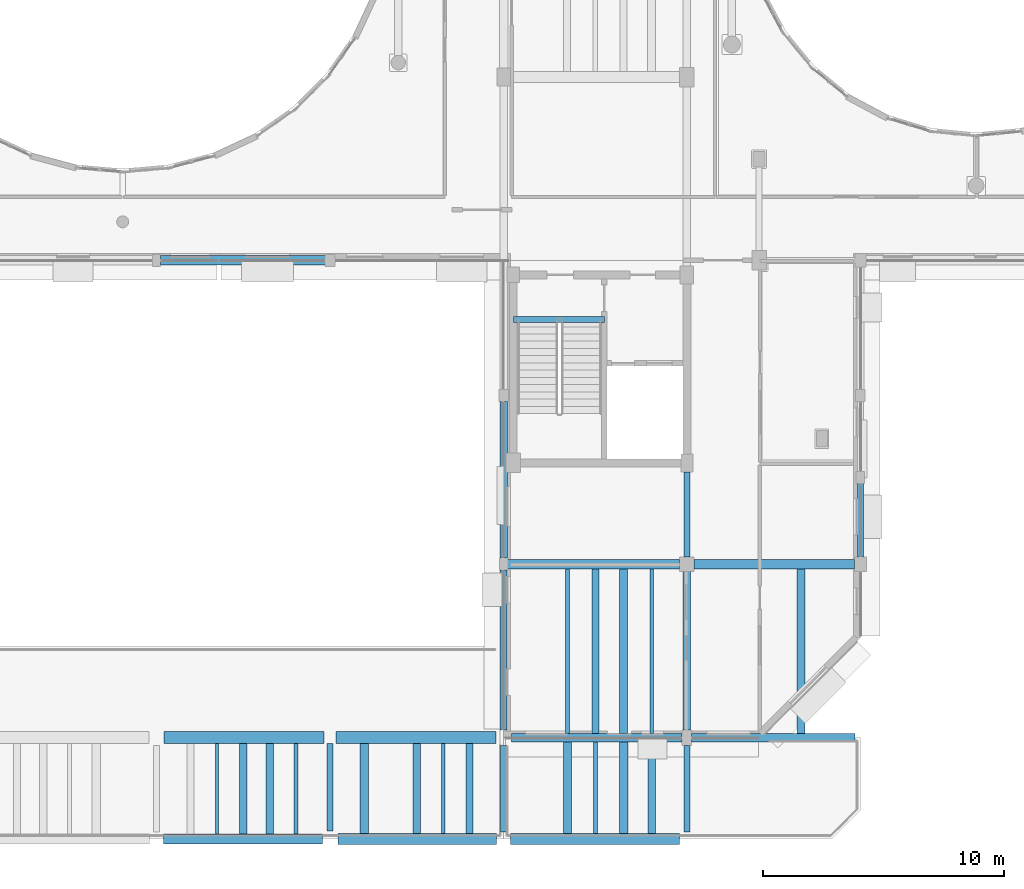
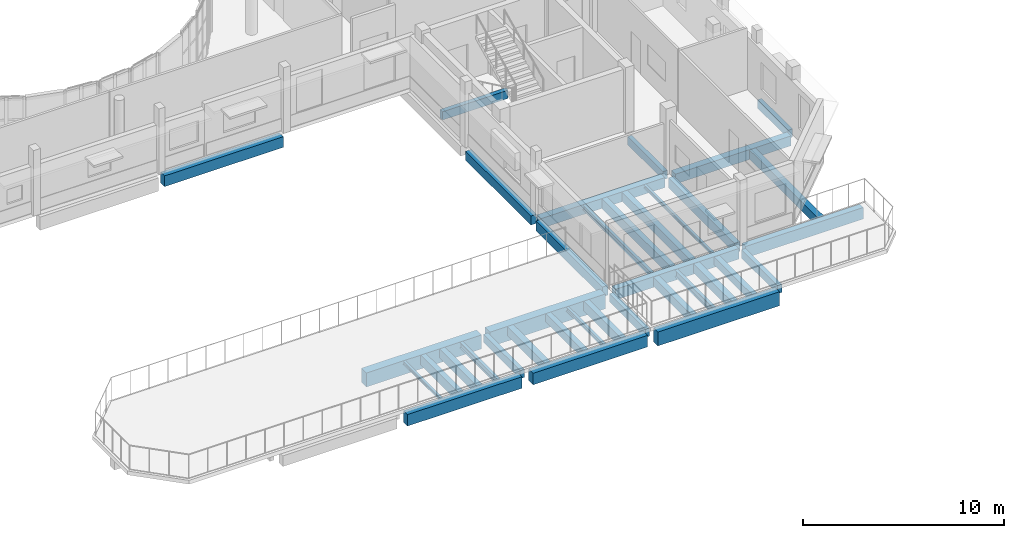
# One storey, part 24 of 92: 36 beams.
"""IFC4 building model written with IfcOpenShell, lengths in metres."""

from ifc_helpers import new_model, si_unit, direction, frame, origin, origin_2d, place, context, subcontext, project, spatial, rectangle, i_section, extrude, material, material_profile, profile_set, type_object, element, save


model = new_model("IFC4")

# Units and contexts
model_context = context("Model", 3, precision=1e-05, world=origin(), true_north=direction((0.0, 1.0)))
body_context = subcontext(model_context, "Body", "Model", "MODEL_VIEW")
ifc_project = project(units=[si_unit("LENGTHUNIT", "METRE"), si_unit("AREAUNIT", "SQUARE_METRE"), si_unit("VOLUMEUNIT", "CUBIC_METRE"), si_unit("PLANEANGLEUNIT", "RADIAN"), si_unit("MASSUNIT", "GRAM", prefix="KILO")], contexts=[model_context])

# Site, building, storey
site_placement = place(None, origin())
site = spatial("IfcSite", under=ifc_project, at=site_placement, CompositionType="ELEMENT")
building_placement = place(site_placement, origin())
building = spatial("IfcBuilding", under=site, at=building_placement, Name="Kelanivale Promenade Academy", CompositionType="ELEMENT")
storey_placement = place(building_placement, frame((0.0, 0.0, 8.199951171875)))
storey = spatial("IfcBuildingStorey", under=building, at=storey_placement, Name="L02", CompositionType="ELEMENT", Elevation=8.199951171875)

# Beams
ifc_material_1 = material(Name="Concrete C35/45", Category="concrete")
ifc_material_profile_1 = material_profile(ifc_material_1, rectangle(XDim=0.39990234375, YDim=0.64990234375, at=origin_2d()), Name="RC-BM 400x650")
ifc_profile_set_1 = profile_set([ifc_material_profile_1], Name="Concrete C35/45")
beam_type_1 = type_object("IfcBeamType", Name="BM-01 RC-BM 400x650", PredefinedType="BEAM", material=ifc_profile_set_1)
beam_1_placement = place(storey_placement, frame((64.969970703125, 42.0, -0.544921875), z_axis=(1.0, 0.0, 0.0), x_axis=(0.0, 1.0, 0.0)))
element("IfcBeam", 1, at=beam_1_placement, inside=storey, type_object=beam_type_1, Name="L02 girder BM-01", PredefinedType="BEAM", context=body_context, shape_type="SweptSolid", body=[
    extrude(rectangle(XDim=0.39990234375, YDim=0.64990234375, at=origin_2d()), origin(), (0.0, 0.0, 1.0), 6.8349609375),
])
ifc_material_profile_2 = material_profile(ifc_material_1, rectangle(XDim=0.39990234375, YDim=0.699951171875, at=origin_2d()), Name="RC-BM 400x700")
ifc_profile_set_2 = profile_set([ifc_material_profile_2], Name="Concrete C35/45")
beam_type_2 = type_object("IfcBeamType", Name="BM-02 RC-BM 400x700", PredefinedType="BEAM", material=ifc_profile_set_2)
beam_2_placement = place(storey_placement, frame((65.094970703125, 18.0, -0.5849609375), z_axis=(1.0, 0.0, 0.0), x_axis=(0.0, 1.0, 0.0)))
element("IfcBeam", 2, at=beam_2_placement, inside=storey, type_object=beam_type_2, Name="L02 girder BM-02", PredefinedType="BEAM", context=body_context, shape_type="SweptSolid", body=[
    extrude(rectangle(XDim=0.39990234375, YDim=0.699951171875, at=origin_2d()), origin(), (0.0, 0.0, 1.0), 6.5849609375),
])
ifc_material_profile_3 = material_profile(ifc_material_1, rectangle(XDim=0.449951171875, YDim=0.699951171875, at=origin_2d()), Name="RC-BM 450x700")
ifc_profile_set_3 = profile_set([ifc_material_profile_3], Name="Concrete C35/45")
beam_type_3 = type_object("IfcBeamType", Name="BM-03 RC-BM 450x700", PredefinedType="BEAM", material=ifc_profile_set_3)
beam_3_placement = place(storey_placement, frame((72.320068359375, 18.0, -0.5849609375), z_axis=(1.0, 0.0, 0.0), x_axis=(0.0, 1.0, 0.0)))
element("IfcBeam", 3, at=beam_3_placement, inside=storey, type_object=beam_type_3, Name="L02 girder BM-03", PredefinedType="BEAM", context=body_context, shape_type="SweptSolid", body=[
    extrude(rectangle(XDim=0.449951171875, YDim=0.699951171875, at=origin_2d()), origin(), (0.0, 0.0, 1.0), 6.5849609375),
])
ifc_material_profile_4 = material_profile(ifc_material_1, rectangle(XDim=0.449951171875, YDim=0.85009765625, at=origin_2d()), Name="RC-BM 450x850")
ifc_profile_set_4 = profile_set([ifc_material_profile_4], Name="Concrete C35/45")
beam_type_4 = type_object("IfcBeamType", Name="BM-05 RC-BM 450x850", PredefinedType="BEAM", material=ifc_profile_set_4)
beam_4_placement = place(storey_placement, frame((79.4951171875, 18.0, -0.659912109375), z_axis=(1.0, 0.0, 0.0), x_axis=(0.0, 1.0, 0.0)))
element("IfcBeam", 4, at=beam_4_placement, inside=storey, type_object=beam_type_4, Name="L02 girder BM-05", PredefinedType="BEAM", context=body_context, shape_type="SweptSolid", body=[
    extrude(rectangle(XDim=0.449951171875, YDim=0.85009765625, at=origin_2d()), origin(), (0.0, 0.0, 1.0), 7.009765625),
])
ifc_material_profile_5 = material_profile(ifc_material_1, rectangle(XDim=0.5, YDim=0.85009765625, at=origin_2d()), Name="RC-BM 500x850")
ifc_profile_set_5 = profile_set([ifc_material_profile_5], Name="Concrete C35/45")
beam_type_5 = type_object("IfcBeamType", Name="BM-07 RC-BM 500x850", PredefinedType="BEAM", material=ifc_profile_set_5)
beam_5_placement = place(storey_placement, frame((65.1201171875, 22.199951171875, -0.659912109375), z_axis=(1.0, 0.0, 0.0), x_axis=(0.0, 1.0, 0.0)))
element("IfcBeam", 5, at=beam_5_placement, inside=storey, type_object=beam_type_5, Name="L02 girder BM-07", PredefinedType="BEAM", context=body_context, shape_type="SweptSolid", body=[
    extrude(rectangle(XDim=0.5, YDim=0.85009765625, at=origin_2d()), origin(), (0.0, 0.0, 1.0), 6.634765625),
])
ifc_material_profile_6 = material_profile(ifc_material_1, rectangle(XDim=0.5, YDim=0.89990234375, at=origin_2d()), Name="RC-BM 500x900")
ifc_profile_set_6 = profile_set([ifc_material_profile_6], Name="Concrete C35/45")
beam_type_6 = type_object("IfcBeamType", Name="BM-08 RC-BM 500x900", PredefinedType="BEAM", material=ifc_profile_set_6)
beam_6_placement = place(storey_placement, frame((72.2451171875, 22.199951171875, -0.68505859375), z_axis=(1.0, 0.0, 0.0), x_axis=(0.0, 1.0, 0.0)))
element("IfcBeam", 6, at=beam_6_placement, inside=storey, type_object=beam_type_6, Name="L02 girder BM-08", PredefinedType="BEAM", context=body_context, shape_type="SweptSolid", body=[
    extrude(rectangle(XDim=0.5, YDim=0.89990234375, at=origin_2d()), origin(), (0.0, 0.0, 1.0), 6.634765625),
])
ifc_material_profile_7 = material_profile(ifc_material_1, rectangle(XDim=0.35009765625, YDim=0.64990234375, at=origin_2d()), Name="RC-BM 350x650")
ifc_profile_set_7 = profile_set([ifc_material_profile_7], Name="Concrete C35/45")
beam_type_7 = type_object("IfcBeamType", Name="BM-10 RC-BM 350x650", PredefinedType="BEAM", material=ifc_profile_set_7)
beam_7_placement = place(storey_placement, frame((79.52001953125, 22.199951171875, -0.544921875), z_axis=(1.0, 0.0, 0.0), x_axis=(0.0, 1.0, 0.0)))
element("IfcBeam", 7, at=beam_7_placement, inside=storey, type_object=beam_type_7, Name="L02 girder BM-10", PredefinedType="BEAM", context=body_context, shape_type="SweptSolid", body=[
    extrude(rectangle(XDim=0.35009765625, YDim=0.64990234375, at=origin_2d()), origin(), (0.0, 0.0, 1.0), 7.0849609375),
])
ifc_material_profile_8 = material_profile(ifc_material_1, rectangle(XDim=0.35009765625, YDim=0.699951171875, at=origin_2d()), Name="RC-BM 350x700")
ifc_profile_set_8 = profile_set([ifc_material_profile_8], Name="Concrete C35/45")
beam_type_8 = type_object("IfcBeamType", Name="BM-11 RC-BM 350x700", PredefinedType="BEAM", material=ifc_profile_set_8)
beam_8_placement = place(storey_placement, frame((86.9951171875, 22.199951171875, -0.5849609375), z_axis=(1.0, 0.0, 0.0), x_axis=(0.0, 1.0, 0.0)))
element("IfcBeam", 8, at=beam_8_placement, inside=storey, type_object=beam_type_8, Name="L02 girder BM-11", PredefinedType="BEAM", context=body_context, shape_type="SweptSolid", body=[
    extrude(rectangle(XDim=0.35009765625, YDim=0.699951171875, at=origin_2d()), origin(), (0.0, 0.0, 1.0), 6.784912109375),
])
ifc_material_profile_9 = material_profile(ifc_material_1, rectangle(XDim=0.39990234375, YDim=0.60009765625, at=origin_2d()), Name="RC-BM 400x600")
ifc_profile_set_9 = profile_set([ifc_material_profile_9], Name="Concrete C35/45")
beam_type_9 = type_object("IfcBeamType", Name="BM-12 RC-BM 400x600", PredefinedType="BEAM", material=ifc_profile_set_9)
beam_9_placement = place(storey_placement, frame((79.3701171875, 29.39990234375, -0.52001953125), z_axis=(1.0, 0.0, 0.0), x_axis=(0.0, 1.0, 0.0)))
element("IfcBeam", 9, at=beam_9_placement, inside=storey, type_object=beam_type_9, Name="L02 girder BM-12", PredefinedType="BEAM", context=body_context, shape_type="SweptSolid", body=[
    extrude(rectangle(XDim=0.39990234375, YDim=0.60009765625, at=origin_2d()), origin(), (0.0, 0.0, 1.0), 7.134765625),
])
beam_10_placement = place(storey_placement, frame((87.094970703125, 29.39990234375, -0.52001953125), z_axis=(1.0, 0.0, 0.0), x_axis=(0.0, 1.0, 0.0)))
element("IfcBeam", 10, at=beam_10_placement, inside=storey, type_object=beam_type_9, Name="L02 girder BM-12", PredefinedType="BEAM", context=body_context, shape_type="SweptSolid", body=[
    extrude(rectangle(XDim=0.39990234375, YDim=0.60009765625, at=origin_2d()), origin(), (0.0, 0.0, 1.0), 6.659912109375),
])
ifc_material_profile_10 = material_profile(ifc_material_1, rectangle(XDim=0.300048828125, YDim=0.5, at=origin_2d()), Name="RC-BM 300x500")
ifc_profile_set_10 = profile_set([ifc_material_profile_10], Name="Concrete C35/45")
beam_type_10 = type_object("IfcBeamType", Name="JS-01 RC-BM 300x500", PredefinedType="JOIST", material=ifc_profile_set_10)
beam_11_placement = place(storey_placement, frame((75.60009765625, 18.22509765625, -0.48486328125), z_axis=(0.0, 1.0, 0.0), x_axis=(-1.0, 0.0, 0.0)))
element("IfcBeam", 11, at=beam_11_placement, inside=storey, type_object=beam_type_10, Name="L02 secondary sub-beam JS-01", PredefinedType="JOIST", context=body_context, shape_type="SweptSolid", body=[
    extrude(rectangle(XDim=0.300048828125, YDim=0.5, at=origin_2d()), origin(), (0.0, 0.0, 1.0), 3.724853515625),
])
beam_12_placement = place(storey_placement, frame((85.341064453125, 18.22509765625, -0.48486328125), z_axis=(0.0, 1.0, 0.0), x_axis=(-1.0, 0.0, 0.0)))
element("IfcBeam", 12, at=beam_12_placement, inside=storey, type_object=beam_type_10, Name="L02 secondary sub-beam JS-01", PredefinedType="JOIST", context=body_context, shape_type="SweptSolid", body=[
    extrude(rectangle(XDim=0.300048828125, YDim=0.5, at=origin_2d()), origin(), (0.0, 0.0, 1.0), 3.7998046875),
])
ifc_material_profile_11 = material_profile(ifc_material_1, rectangle(XDim=0.300048828125, YDim=0.60009765625, at=origin_2d()), Name="RC-BM 300x600")
ifc_profile_set_11 = profile_set([ifc_material_profile_11], Name="Concrete C35/45")
beam_type_11 = type_object("IfcBeamType", Name="JS-03 RC-BM 300x600", PredefinedType="JOIST", material=ifc_profile_set_11)
beam_13_placement = place(storey_placement, frame((79.199951171875, 22.52001953125, -0.52001953125), z_axis=(0.0, 1.0, 0.0), x_axis=(-1.0, 0.0, 0.0)))
element("IfcBeam", 13, at=beam_13_placement, inside=storey, type_object=beam_type_11, Name="L02 beam JS-03", PredefinedType="JOIST", context=body_context, shape_type="SweptSolid", body=[
    extrude(rectangle(XDim=0.300048828125, YDim=0.60009765625, at=origin_2d()), origin(), (0.0, 0.0, 1.0), 6.635009765625),
])
beam_14_placement = place(storey_placement, frame((68.39990234375, 18.199951171875, -0.534912109375), z_axis=(0.0, 1.0, 0.0), x_axis=(-1.0, 0.0, 0.0)))
element("IfcBeam", 14, at=beam_14_placement, inside=storey, type_object=beam_type_11, Name="L02 secondary sub-beam JS-03", PredefinedType="JOIST", context=body_context, shape_type="SweptSolid", body=[
    extrude(rectangle(XDim=0.300048828125, YDim=0.60009765625, at=origin_2d()), origin(), (0.0, 0.0, 1.0), 3.75),
])
beam_15_placement = place(storey_placement, frame((77.787109375, 18.22509765625, -0.534912109375), z_axis=(0.0, 1.0, 0.0), x_axis=(-1.0, 0.0, 0.0)))
element("IfcBeam", 15, at=beam_15_placement, inside=storey, type_object=beam_type_11, Name="L02 secondary sub-beam JS-03", PredefinedType="JOIST", context=body_context, shape_type="SweptSolid", body=[
    extrude(rectangle(XDim=0.300048828125, YDim=0.60009765625, at=origin_2d()), origin(), (0.0, 0.0, 1.0), 3.724853515625),
])
beam_16_placement = place(storey_placement, frame((83.011962890625, 22.375, -0.52001953125), z_axis=(0.0, 1.0, 0.0), x_axis=(-1.0, 0.0, 0.0)))
element("IfcBeam", 16, at=beam_16_placement, inside=storey, type_object=beam_type_11, Name="L02 secondary sub-beam JS-03", PredefinedType="JOIST", context=body_context, shape_type="SweptSolid", body=[
    extrude(rectangle(XDim=0.300048828125, YDim=0.60009765625, at=origin_2d()), origin(), (0.0, 0.0, 1.0), 6.824951171875),
])
ifc_material_profile_12 = material_profile(ifc_material_1, rectangle(XDim=0.320068359375, YDim=0.550048828125, at=origin_2d()), Name="RC-BM 320x550")
ifc_profile_set_12 = profile_set([ifc_material_profile_12], Name="Concrete C35/45")
beam_type_12 = type_object("IfcBeamType", Name="JS-04 RC-BM 320x550", PredefinedType="JOIST", material=ifc_profile_set_12)
beam_17_placement = place(storey_placement, frame((79.199951171875, 29.64501953125, -0.494873046875), z_axis=(0.0, 1.0, 0.0), x_axis=(-1.0, 0.0, 0.0)))
element("IfcBeam", 17, at=beam_17_placement, inside=storey, type_object=beam_type_12, Name="L02 beam JS-04", PredefinedType="JOIST", context=body_context, shape_type="SweptSolid", body=[
    extrude(rectangle(XDim=0.320068359375, YDim=0.550048828125, at=origin_2d()), origin(), (0.0, 0.0, 1.0), 6.510009765625),
])
beam_18_placement = place(storey_placement, frame((69.492919921875, 18.199951171875, -0.510009765625), z_axis=(0.0, 1.0, 0.0), x_axis=(-1.0, 0.0, 0.0)))
element("IfcBeam", 18, at=beam_18_placement, inside=storey, type_object=beam_type_12, Name="L02 secondary sub-beam JS-04", PredefinedType="JOIST", context=body_context, shape_type="SweptSolid", body=[
    extrude(rectangle(XDim=0.320068359375, YDim=0.550048828125, at=origin_2d()), origin(), (0.0, 0.0, 1.0), 3.75),
])
beam_19_placement = place(storey_placement, frame((81.847900390625, 18.22509765625, -0.510009765625), z_axis=(0.0, 1.0, 0.0), x_axis=(-1.0, 0.0, 0.0)))
element("IfcBeam", 19, at=beam_19_placement, inside=storey, type_object=beam_type_12, Name="L02 secondary sub-beam JS-04", PredefinedType="JOIST", context=body_context, shape_type="SweptSolid", body=[
    extrude(rectangle(XDim=0.320068359375, YDim=0.550048828125, at=origin_2d()), origin(), (0.0, 0.0, 1.0), 3.7998046875),
])
beam_20_placement = place(storey_placement, frame((84.177001953125, 22.375, -0.494873046875), z_axis=(0.0, 1.0, 0.0), x_axis=(-1.0, 0.0, 0.0)))
element("IfcBeam", 20, at=beam_20_placement, inside=storey, type_object=beam_type_12, Name="L02 secondary sub-beam JS-04", PredefinedType="JOIST", context=body_context, shape_type="SweptSolid", body=[
    extrude(rectangle(XDim=0.320068359375, YDim=0.550048828125, at=origin_2d()), origin(), (0.0, 0.0, 1.0), 6.824951171875),
])
ifc_material_profile_13 = material_profile(ifc_material_1, rectangle(XDim=0.320068359375, YDim=0.60009765625, at=origin_2d()), Name="RC-BM 320x600")
ifc_profile_set_13 = profile_set([ifc_material_profile_13], Name="Concrete C35/45")
beam_type_13 = type_object("IfcBeamType", Name="JS-05 RC-BM 320x600", PredefinedType="JOIST", material=ifc_profile_set_13)
beam_21_placement = place(storey_placement, frame((86.800048828125, 22.52001953125, -0.52001953125), z_axis=(0.0, 1.0, 0.0), x_axis=(-1.0, 0.0, 0.0)))
element("IfcBeam", 21, at=beam_21_placement, inside=storey, type_object=beam_type_13, Name="L02 beam JS-05", PredefinedType="JOIST", context=body_context, shape_type="SweptSolid", body=[
    extrude(rectangle(XDim=0.320068359375, YDim=0.60009765625, at=origin_2d()), origin(), (0.0, 0.0, 1.0), 6.5849609375),
])
ifc_material_profile_14 = material_profile(ifc_material_1, rectangle(XDim=0.35009765625, YDim=0.550048828125, at=origin_2d()), Name="RC-BM 350x550")
ifc_profile_set_14 = profile_set([ifc_material_profile_14], Name="Concrete C35/45")
beam_type_14 = type_object("IfcBeamType", Name="JS-06 RC-BM 350x550", PredefinedType="JOIST", material=ifc_profile_set_14)
beam_22_placement = place(storey_placement, frame((73.4130859375, 18.22509765625, -0.510009765625), z_axis=(0.0, 1.0, 0.0), x_axis=(-1.0, 0.0, 0.0)))
element("IfcBeam", 22, at=beam_22_placement, inside=storey, type_object=beam_type_14, Name="L02 secondary sub-beam JS-06", PredefinedType="JOIST", context=body_context, shape_type="SweptSolid", body=[
    extrude(rectangle(XDim=0.35009765625, YDim=0.550048828125, at=origin_2d()), origin(), (0.0, 0.0, 1.0), 3.724853515625),
])
beam_23_placement = place(storey_placement, frame((84.177001953125, 18.22509765625, -0.510009765625), z_axis=(0.0, 1.0, 0.0), x_axis=(-1.0, 0.0, 0.0)))
element("IfcBeam", 23, at=beam_23_placement, inside=storey, type_object=beam_type_14, Name="L02 secondary sub-beam JS-06", PredefinedType="JOIST", context=body_context, shape_type="SweptSolid", body=[
    extrude(rectangle(XDim=0.35009765625, YDim=0.550048828125, at=origin_2d()), origin(), (0.0, 0.0, 1.0), 3.7998046875),
])
beam_24_placement = place(storey_placement, frame((91.534912109375, 22.375, -0.510009765625), z_axis=(0.0, 1.0, 0.0), x_axis=(-1.0, 0.0, 0.0)))
element("IfcBeam", 24, at=beam_24_placement, inside=storey, type_object=beam_type_14, Name="L02 secondary sub-beam JS-06", PredefinedType="JOIST", context=body_context, shape_type="SweptSolid", body=[
    extrude(rectangle(XDim=0.35009765625, YDim=0.550048828125, at=origin_2d()), origin(), (0.0, 0.0, 1.0), 6.824951171875),
])
ifc_material_profile_15 = material_profile(ifc_material_1, rectangle(XDim=0.25, YDim=0.5, at=origin_2d()), Name="RC-BM 250x500")
ifc_profile_set_15 = profile_set([ifc_material_profile_15], Name="Concrete C35/45")
beam_type_15 = type_object("IfcBeamType", Name="LN-02 RC-BM 250x500", PredefinedType="LINTEL", material=ifc_profile_set_15)
beam_25_placement = place(storey_placement, frame((72.0, 18.320068359375, -0.48486328125), z_axis=(0.0, 1.0, 0.0), x_axis=(-1.0, 0.0, 0.0)))
element("IfcBeam", 25, at=beam_25_placement, inside=storey, type_object=beam_type_15, Name="L02 beam LN-02", PredefinedType="LINTEL", context=body_context, shape_type="SweptSolid", body=[
    extrude(rectangle(XDim=0.25, YDim=0.5, at=origin_2d()), origin(), (0.0, 0.0, 1.0), 3.635009765625),
])
for number, where, z_axis, x_axis, name in (
    (26, (79.199951171875, 18.294921875, -0.48486328125), (0.0, 1.0, 0.0), (-1.0, 0.0, 0.0), "L02 beam LN-02"),
    (27, (86.800048828125, 18.294921875, -0.48486328125), (0.0, 1.0, 0.0), (-1.0, 0.0, 0.0), "L02 beam LN-02"),
):
    element("IfcBeam", number, at=place(storey_placement, frame(where, z_axis=z_axis, x_axis=x_axis)), inside=storey, type_object=beam_type_15, Name=name, PredefinedType="LINTEL", context=body_context, shape_type="SweptSolid", body=[
        extrude(rectangle(XDim=0.25, YDim=0.5, at=origin_2d()), origin(), (0.0, 0.0, 1.0), 3.5849609375),
    ])
beam_26_placement = place(storey_placement, frame((86.800048828125, 29.695068359375, -0.469970703125), z_axis=(0.0, 1.0, 0.0), x_axis=(-1.0, 0.0, 0.0)))
element("IfcBeam", 28, at=beam_26_placement, inside=storey, type_object=beam_type_15, Name="L02 beam LN-02", PredefinedType="LINTEL", context=body_context, shape_type="SweptSolid", body=[
    extrude(rectangle(XDim=0.25, YDim=0.5, at=origin_2d()), origin(), (0.0, 0.0, 1.0), 3.534912109375),
])
beam_27_placement = place(storey_placement, frame((94.0, 29.695068359375, -0.469970703125), z_axis=(0.0, 1.0, 0.0), x_axis=(-1.0, 0.0, 0.0)))
element("IfcBeam", 29, at=beam_27_placement, inside=storey, type_object=beam_type_15, Name="L02 beam LN-02", PredefinedType="LINTEL", context=body_context, shape_type="SweptSolid", body=[
    extrude(rectangle(XDim=0.25, YDim=0.5, at=origin_2d()), origin(), (0.0, 0.0, 1.0), 3.059814453125),
])
beam_28_placement = place(storey_placement, frame((79.60009765625, 39.544921875, -0.25), z_axis=(1.0, 0.0, 0.0), x_axis=(0.0, 1.0, 0.0)))
element("IfcBeam", 30, at=beam_28_placement, inside=storey, type_object=beam_type_15, Name="CORE-1 stair arrival trimmer beam L02", PredefinedType="LINTEL", context=body_context, shape_type="SweptSolid", body=[
    extrude(rectangle(XDim=0.25, YDim=0.5, at=origin_2d()), origin(), (0.0, 0.0, 1.0), 3.77490234375),
])
ifc_material_2 = material(Name="Steel S355", Category="steel")
ifc_material_profile_16 = material_profile(ifc_material_2, i_section(OverallWidth=0.13330078125, OverallDepth=0.203125, WebThickness=0.005615234375, FlangeThickness=0.0078125, FilletRadius=0.007568359375, at=origin_2d()), Name="UB 203x133x25")
ifc_profile_set_16 = profile_set([ifc_material_profile_16], Name="Steel S355")
beam_type_16 = type_object("IfcBeamType", Name="SB-01 UB 203x133x25", PredefinedType="JOIST", material=ifc_profile_set_16)
beam_29_placement = place(storey_placement, frame((67.306884765625, 18.199951171875, -0.3369140625), z_axis=(0.0, 1.0, 0.0), x_axis=(-1.0, 0.0, 0.0)))
element("IfcBeam", 31, at=beam_29_placement, inside=storey, type_object=beam_type_16, Name="L02 secondary sub-beam SB-01", PredefinedType="JOIST", context=body_context, shape_type="SweptSolid", body=[
    extrude(i_section(OverallWidth=0.13330078125, OverallDepth=0.203125, WebThickness=0.005615234375, FlangeThickness=0.0078125, FilletRadius=0.007568359375, at=origin_2d()), origin(), (0.0, 0.0, 1.0), 3.75),
])
beam_30_placement = place(storey_placement, frame((85.341064453125, 22.375, -0.322021484375), z_axis=(0.0, 1.0, 0.0), x_axis=(-1.0, 0.0, 0.0)))
element("IfcBeam", 32, at=beam_30_placement, inside=storey, type_object=beam_type_16, Name="L02 secondary sub-beam SB-01", PredefinedType="JOIST", context=body_context, shape_type="SweptSolid", body=[
    extrude(i_section(OverallWidth=0.13330078125, OverallDepth=0.203125, WebThickness=0.005615234375, FlangeThickness=0.0078125, FilletRadius=0.007568359375, at=origin_2d()), origin(), (0.0, 0.0, 1.0), 6.824951171875),
])
ifc_material_profile_17 = material_profile(ifc_material_2, i_section(OverallWidth=0.14599609375, OverallDepth=0.25146484375, WebThickness=0.006103515625, FlangeThickness=0.008544921875, FilletRadius=0.007568359375, at=origin_2d()), Name="UB 254x146x31")
ifc_profile_set_17 = profile_set([ifc_material_profile_17], Name="Steel S355")
beam_type_17 = type_object("IfcBeamType", Name="SB-02 UB 254x146x31", PredefinedType="JOIST", material=ifc_profile_set_17)
beam_31_placement = place(storey_placement, frame((76.693115234375, 18.22509765625, -0.36083984375), z_axis=(0.0, 1.0, 0.0), x_axis=(-1.0, 0.0, 0.0)))
element("IfcBeam", 33, at=beam_31_placement, inside=storey, type_object=beam_type_17, Name="L02 secondary sub-beam SB-02", PredefinedType="JOIST", context=body_context, shape_type="SweptSolid", body=[
    extrude(i_section(OverallWidth=0.14599609375, OverallDepth=0.25146484375, WebThickness=0.006103515625, FlangeThickness=0.008544921875, FilletRadius=0.007568359375, at=origin_2d()), origin(), (0.0, 0.0, 1.0), 3.724853515625),
])
ifc_material_profile_18 = material_profile(ifc_material_2, i_section(OverallWidth=0.1650390625, OverallDepth=0.303466796875, WebThickness=0.006103515625, FlangeThickness=0.01025390625, FilletRadius=0.0087890625, at=origin_2d()), Name="UB 305x165x40")
ifc_profile_set_18 = profile_set([ifc_material_profile_18], Name="Steel S355")
beam_type_18 = type_object("IfcBeamType", Name="SB-03 UB 305x165x40", PredefinedType="BEAM", material=ifc_profile_set_18)
beam_32_placement = place(storey_placement, frame((81.847900390625, 22.375, -0.3720703125), z_axis=(0.0, 1.0, 0.0), x_axis=(-1.0, 0.0, 0.0)))
element("IfcBeam", 34, at=beam_32_placement, inside=storey, type_object=beam_type_18, Name="L02 secondary sub-beam SB-03", PredefinedType="BEAM", context=body_context, shape_type="SweptSolid", body=[
    extrude(i_section(OverallWidth=0.1650390625, OverallDepth=0.303466796875, WebThickness=0.006103515625, FlangeThickness=0.01025390625, FilletRadius=0.0087890625, at=origin_2d()), origin(), (0.0, 0.0, 1.0), 6.824951171875),
])
ifc_material_profile_19 = material_profile(ifc_material_2, i_section(OverallWidth=0.17138671875, OverallDepth=0.35498046875, WebThickness=0.00732421875, FlangeThickness=0.011474609375, FilletRadius=0.01025390625, at=origin_2d()), Name="UB 356x171x51")
ifc_profile_set_19 = profile_set([ifc_material_profile_19], Name="Steel S355")
beam_type_19 = type_object("IfcBeamType", Name="SB-04 UB 356x171x51", PredefinedType="BEAM", material=ifc_profile_set_19)
beam_33_placement = place(storey_placement, frame((70.5869140625, 18.199951171875, -0.412841796875), z_axis=(0.0, 1.0, 0.0), x_axis=(-1.0, 0.0, 0.0)))
element("IfcBeam", 35, at=beam_33_placement, inside=storey, type_object=beam_type_19, Name="L02 secondary sub-beam SB-04", PredefinedType="BEAM", context=body_context, shape_type="SweptSolid", body=[
    extrude(i_section(OverallWidth=0.17138671875, OverallDepth=0.35498046875, WebThickness=0.00732421875, FlangeThickness=0.011474609375, FilletRadius=0.01025390625, at=origin_2d()), origin(), (0.0, 0.0, 1.0), 3.75),
])
ifc_material_profile_20 = material_profile(ifc_material_2, i_section(OverallWidth=0.177978515625, OverallDepth=0.406494140625, WebThickness=0.0078125, FlangeThickness=0.0126953125, FilletRadius=0.01025390625, at=origin_2d()), Name="UB 406x178x60")
ifc_profile_set_20 = profile_set([ifc_material_profile_20], Name="Steel S355")
beam_type_20 = type_object("IfcBeamType", Name="SB-05 UB 406x178x60", PredefinedType="BEAM", material=ifc_profile_set_20)
beam_34_placement = place(storey_placement, frame((83.011962890625, 18.22509765625, -0.43798828125), z_axis=(0.0, 1.0, 0.0), x_axis=(-1.0, 0.0, 0.0)))
element("IfcBeam", 36, at=beam_34_placement, inside=storey, type_object=beam_type_20, Name="L02 secondary sub-beam SB-05", PredefinedType="BEAM", context=body_context, shape_type="SweptSolid", body=[
    extrude(i_section(OverallWidth=0.177978515625, OverallDepth=0.406494140625, WebThickness=0.0078125, FlangeThickness=0.0126953125, FilletRadius=0.01025390625, at=origin_2d()), origin(), (0.0, 0.0, 1.0), 3.7998046875),
])

save(model, "model.ifc")
